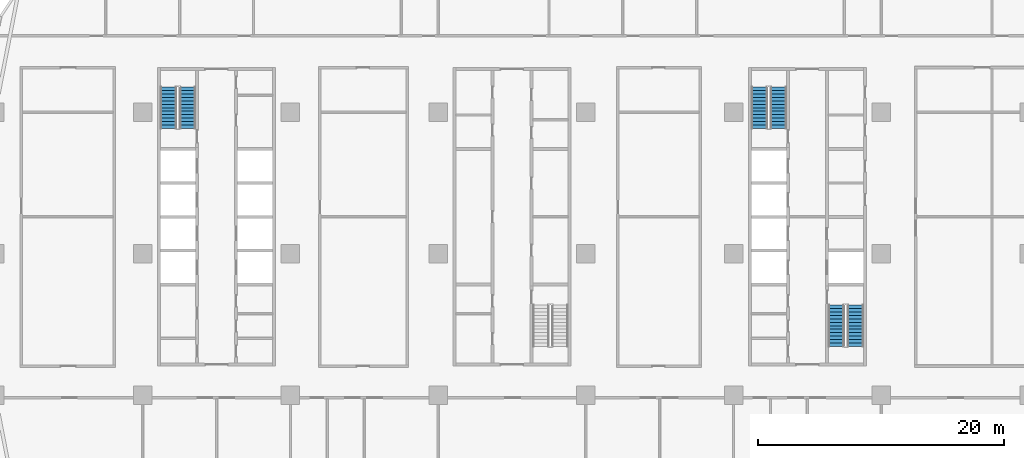
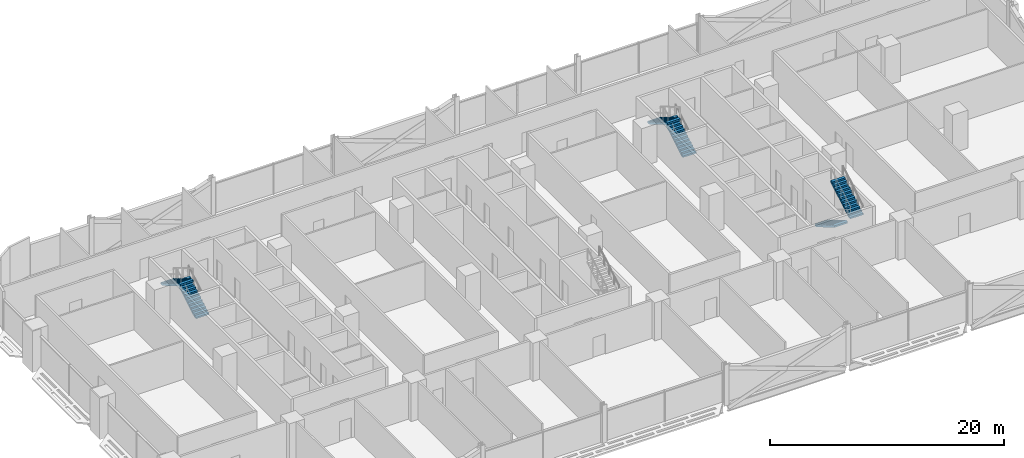
# One storey, part 18 of 29: 6 stair flights, 3 elements without a shape of their own.
"""IFC4 building model written with IfcOpenShell, lengths in metres."""

from ifc_helpers import new_model, si_unit, direction, frame, origin, place, context, subcontext, project, spatial, polyline, outline, extrude, material, type_object, element, aggregate, save


model = new_model("IFC4")

# Units and contexts
model_context = context("Model", 3, precision=1e-05, world=origin(), true_north=direction((0.0, 1.0)))
body_context = subcontext(model_context, "Body", "Model", "MODEL_VIEW")
ifc_project = project(units=[si_unit("LENGTHUNIT", "METRE"), si_unit("AREAUNIT", "SQUARE_METRE"), si_unit("VOLUMEUNIT", "CUBIC_METRE"), si_unit("PLANEANGLEUNIT", "RADIAN"), si_unit("MASSUNIT", "GRAM", prefix="KILO")], contexts=[model_context])

# Site, building, storey
site_placement = place(None, origin())
site = spatial("IfcSite", under=ifc_project, at=site_placement, CompositionType="ELEMENT")
building_placement = place(site_placement, origin())
building = spatial("IfcBuilding", under=site, at=building_placement, Name="Mahtab Terrace Research Tower", CompositionType="ELEMENT")
storey_placement = place(building_placement, frame((0.0, 0.0, 58.89990234375)))
storey = spatial("IfcBuildingStorey", under=building, at=storey_placement, Name="L13", CompositionType="ELEMENT", Elevation=58.89990234375)

# Stair, stair flights
ifc_material_1 = material(Name="Exit stair half-turn")
stair_type = type_object("IfcStairType", Name="Exit stair half-turn", PredefinedType="HALF_TURN_STAIR", material=ifc_material_1)
stair_1_placement = place(storey_placement, origin())
stair_1 = element("IfcStair", 1, at=stair_1_placement, inside=storey, type_object=stair_type, Name="L13 Protected exit stair ST1", PredefinedType="HALF_TURN_STAIR")
ifc_material_2 = material(Name="Concrete C40/50", Category="concrete")
stair_flight_type = type_object("IfcStairFlightType", Name="Exit stair flight 1300", PredefinedType="STRAIGHT", material=ifc_material_2)
stair_flight_1_placement = place(storey_placement, frame((-26.35009765625, 10.175048828125, 0.0), z_axis=(0.0, 0.0, 1.0), x_axis=(0.0, 1.0, 0.0)))
stair_flight_1 = element("IfcStairFlight", 2, at=stair_flight_1_placement, type_object=stair_flight_type, Name="ST1 flight 1", NumberOfRisers=13, NumberOfTreads=12, PredefinedType="STRAIGHT", RiserHeight=0.165384615, TreadLength=0.28, context=body_context, shape_type="SweptSolid", body=[
    extrude(outline(polyline([(0.0, 0.0), (0.0, 0.165283203125), (0.280029296875, 0.165283203125), (0.280029296875, 0.330810546875), (0.56005859375, 0.330810546875), (0.56005859375, 0.49609375), (0.840087890625, 0.49609375), (0.840087890625, 0.66162109375), (1.1201171875, 0.66162109375), (1.1201171875, 0.826904296875), (1.39990234375, 0.826904296875), (1.39990234375, 0.9921875), (1.679931640625, 0.9921875), (1.679931640625, 1.15771484375), (1.9599609375, 1.15771484375), (1.9599609375, 1.322998046875), (2.239990234375, 1.322998046875), (2.239990234375, 1.488525390625), (2.52001953125, 1.488525390625), (2.52001953125, 1.65380859375), (2.800048828125, 1.65380859375), (2.800048828125, 1.8193359375), (3.080078125, 1.8193359375), (3.080078125, 1.984619140625), (3.360107421875, 1.984619140625), (3.360107421875, 2.14990234375), (3.360107421875, 1.810546875), (0.294677734375, 0.0), (0.0, 0.0)])), frame((0.0, 0.64990234375, 0.0), z_axis=(0.0, -1.0, 0.0), x_axis=(1.0, 0.0, 0.0)), (0.0, 0.0, 1.0), 1.300048828125),
])
stair_flight_2_placement = place(storey_placement, frame((-27.89990234375, 13.534912109375, 2.150146484375), z_axis=(0.0, 0.0, 1.0), x_axis=(0.0, -1.0, 0.0)))
stair_flight_2 = element("IfcStairFlight", 3, at=stair_flight_2_placement, type_object=stair_flight_type, Name="ST1 flight 2", NumberOfRisers=13, NumberOfTreads=12, PredefinedType="STRAIGHT", RiserHeight=0.165384615, TreadLength=0.28, context=body_context, shape_type="SweptSolid", body=[
    extrude(outline(polyline([(0.0, 0.0), (0.0, 0.165283203125), (0.280029296875, 0.165283203125), (0.280029296875, 0.330810546875), (0.56005859375, 0.330810546875), (0.56005859375, 0.49609375), (0.840087890625, 0.49609375), (0.840087890625, 0.66162109375), (1.1201171875, 0.66162109375), (1.1201171875, 0.826904296875), (1.39990234375, 0.826904296875), (1.39990234375, 0.9921875), (1.679931640625, 0.9921875), (1.679931640625, 1.15771484375), (1.9599609375, 1.15771484375), (1.9599609375, 1.322998046875), (2.239990234375, 1.322998046875), (2.239990234375, 1.488525390625), (2.52001953125, 1.488525390625), (2.52001953125, 1.65380859375), (2.800048828125, 1.65380859375), (2.800048828125, 1.8193359375), (3.080078125, 1.8193359375), (3.080078125, 1.984619140625), (3.360107421875, 1.984619140625), (3.360107421875, 2.14990234375), (3.360107421875, 1.810546875), (0.294677734375, 0.0), (0.0, 0.0)])), frame((0.0, 0.64990234375, 0.0), z_axis=(0.0, -1.0, 0.0), x_axis=(1.0, 0.0, 0.0)), (0.0, 0.0, 1.0), 1.300048828125),
])
aggregate(stair_1, [stair_flight_1, stair_flight_2])

stair_2_placement = place(storey_placement, origin())
stair_2 = element("IfcStair", 4, at=stair_2_placement, inside=storey, type_object=stair_type, Name="L13 Protected exit stair ST3", PredefinedType="HALF_TURN_STAIR")
stair_flight_3_placement = place(storey_placement, frame((21.64990234375, 10.175048828125, 0.0), z_axis=(0.0, 0.0, 1.0), x_axis=(0.0, 1.0, 0.0)))
stair_flight_3 = element("IfcStairFlight", 5, at=stair_flight_3_placement, type_object=stair_flight_type, Name="ST3 flight 1", NumberOfRisers=13, NumberOfTreads=12, PredefinedType="STRAIGHT", RiserHeight=0.165384615, TreadLength=0.28, context=body_context, shape_type="SweptSolid", body=[
    extrude(outline(polyline([(0.0, 0.0), (0.0, 0.165283203125), (0.280029296875, 0.165283203125), (0.280029296875, 0.330810546875), (0.56005859375, 0.330810546875), (0.56005859375, 0.49609375), (0.840087890625, 0.49609375), (0.840087890625, 0.66162109375), (1.1201171875, 0.66162109375), (1.1201171875, 0.826904296875), (1.39990234375, 0.826904296875), (1.39990234375, 0.9921875), (1.679931640625, 0.9921875), (1.679931640625, 1.15771484375), (1.9599609375, 1.15771484375), (1.9599609375, 1.322998046875), (2.239990234375, 1.322998046875), (2.239990234375, 1.488525390625), (2.52001953125, 1.488525390625), (2.52001953125, 1.65380859375), (2.800048828125, 1.65380859375), (2.800048828125, 1.8193359375), (3.080078125, 1.8193359375), (3.080078125, 1.984619140625), (3.360107421875, 1.984619140625), (3.360107421875, 2.14990234375), (3.360107421875, 1.810546875), (0.294677734375, 0.0), (0.0, 0.0)])), frame((0.0, 0.64990234375, 0.0), z_axis=(0.0, -1.0, 0.0), x_axis=(1.0, 0.0, 0.0)), (0.0, 0.0, 1.0), 1.300048828125),
])
stair_flight_4_placement = place(storey_placement, frame((20.10009765625, 13.534912109375, 2.150146484375), z_axis=(0.0, 0.0, 1.0), x_axis=(0.0, -1.0, 0.0)))
stair_flight_4 = element("IfcStairFlight", 6, at=stair_flight_4_placement, type_object=stair_flight_type, Name="ST3 flight 2", NumberOfRisers=13, NumberOfTreads=12, PredefinedType="STRAIGHT", RiserHeight=0.165384615, TreadLength=0.28, context=body_context, shape_type="SweptSolid", body=[
    extrude(outline(polyline([(0.0, 0.0), (0.0, 0.165283203125), (0.280029296875, 0.165283203125), (0.280029296875, 0.330810546875), (0.56005859375, 0.330810546875), (0.56005859375, 0.49609375), (0.840087890625, 0.49609375), (0.840087890625, 0.66162109375), (1.1201171875, 0.66162109375), (1.1201171875, 0.826904296875), (1.39990234375, 0.826904296875), (1.39990234375, 0.9921875), (1.679931640625, 0.9921875), (1.679931640625, 1.15771484375), (1.9599609375, 1.15771484375), (1.9599609375, 1.322998046875), (2.239990234375, 1.322998046875), (2.239990234375, 1.488525390625), (2.52001953125, 1.488525390625), (2.52001953125, 1.65380859375), (2.800048828125, 1.65380859375), (2.800048828125, 1.8193359375), (3.080078125, 1.8193359375), (3.080078125, 1.984619140625), (3.360107421875, 1.984619140625), (3.360107421875, 2.14990234375), (3.360107421875, 1.810546875), (0.294677734375, 0.0), (0.0, 0.0)])), frame((0.0, 0.64990234375, 0.0), z_axis=(0.0, -1.0, 0.0), x_axis=(1.0, 0.0, 0.0)), (0.0, 0.0, 1.0), 1.300048828125),
])
aggregate(stair_2, [stair_flight_3, stair_flight_4])

stair_3_placement = place(storey_placement, origin())
stair_3 = element("IfcStair", 7, at=stair_3_placement, inside=storey, type_object=stair_type, Name="L13 Protected exit stair ST4", PredefinedType="HALF_TURN_STAIR")
stair_flight_5_placement = place(storey_placement, frame((26.35009765625, -4.175048828125, 0.0), z_axis=(0.0, 0.0, 1.0), x_axis=(0.0, -1.0, 0.0)))
stair_flight_5 = element("IfcStairFlight", 8, at=stair_flight_5_placement, type_object=stair_flight_type, Name="ST4 flight 1", NumberOfRisers=13, NumberOfTreads=12, PredefinedType="STRAIGHT", RiserHeight=0.165384615, TreadLength=0.28, context=body_context, shape_type="SweptSolid", body=[
    extrude(outline(polyline([(0.0, 0.0), (0.0, 0.165283203125), (0.280029296875, 0.165283203125), (0.280029296875, 0.330810546875), (0.56005859375, 0.330810546875), (0.56005859375, 0.49609375), (0.840087890625, 0.49609375), (0.840087890625, 0.66162109375), (1.1201171875, 0.66162109375), (1.1201171875, 0.826904296875), (1.39990234375, 0.826904296875), (1.39990234375, 0.9921875), (1.679931640625, 0.9921875), (1.679931640625, 1.15771484375), (1.9599609375, 1.15771484375), (1.9599609375, 1.322998046875), (2.239990234375, 1.322998046875), (2.239990234375, 1.488525390625), (2.52001953125, 1.488525390625), (2.52001953125, 1.65380859375), (2.800048828125, 1.65380859375), (2.800048828125, 1.8193359375), (3.080078125, 1.8193359375), (3.080078125, 1.984619140625), (3.360107421875, 1.984619140625), (3.360107421875, 2.14990234375), (3.360107421875, 1.810546875), (0.294677734375, 0.0), (0.0, 0.0)])), frame((0.0, 0.64990234375, 0.0), z_axis=(0.0, -1.0, 0.0), x_axis=(1.0, 0.0, 0.0)), (0.0, 0.0, 1.0), 1.300048828125),
])
stair_flight_6_placement = place(storey_placement, frame((27.89990234375, -7.534912109375, 2.150146484375), z_axis=(0.0, 0.0, 1.0), x_axis=(0.0, 1.0, 0.0)))
stair_flight_6 = element("IfcStairFlight", 9, at=stair_flight_6_placement, type_object=stair_flight_type, Name="ST4 flight 2", NumberOfRisers=13, NumberOfTreads=12, PredefinedType="STRAIGHT", RiserHeight=0.165384615, TreadLength=0.28, context=body_context, shape_type="SweptSolid", body=[
    extrude(outline(polyline([(0.0, 0.0), (0.0, 0.165283203125), (0.280029296875, 0.165283203125), (0.280029296875, 0.330810546875), (0.56005859375, 0.330810546875), (0.56005859375, 0.49609375), (0.840087890625, 0.49609375), (0.840087890625, 0.66162109375), (1.1201171875, 0.66162109375), (1.1201171875, 0.826904296875), (1.39990234375, 0.826904296875), (1.39990234375, 0.9921875), (1.679931640625, 0.9921875), (1.679931640625, 1.15771484375), (1.9599609375, 1.15771484375), (1.9599609375, 1.322998046875), (2.239990234375, 1.322998046875), (2.239990234375, 1.488525390625), (2.52001953125, 1.488525390625), (2.52001953125, 1.65380859375), (2.800048828125, 1.65380859375), (2.800048828125, 1.8193359375), (3.080078125, 1.8193359375), (3.080078125, 1.984619140625), (3.360107421875, 1.984619140625), (3.360107421875, 2.14990234375), (3.360107421875, 1.810546875), (0.294677734375, 0.0), (0.0, 0.0)])), frame((0.0, 0.64990234375, 0.0), z_axis=(0.0, -1.0, 0.0), x_axis=(1.0, 0.0, 0.0)), (0.0, 0.0, 1.0), 1.300048828125),
])
aggregate(stair_3, [stair_flight_5, stair_flight_6])

save(model, "model.ifc")
